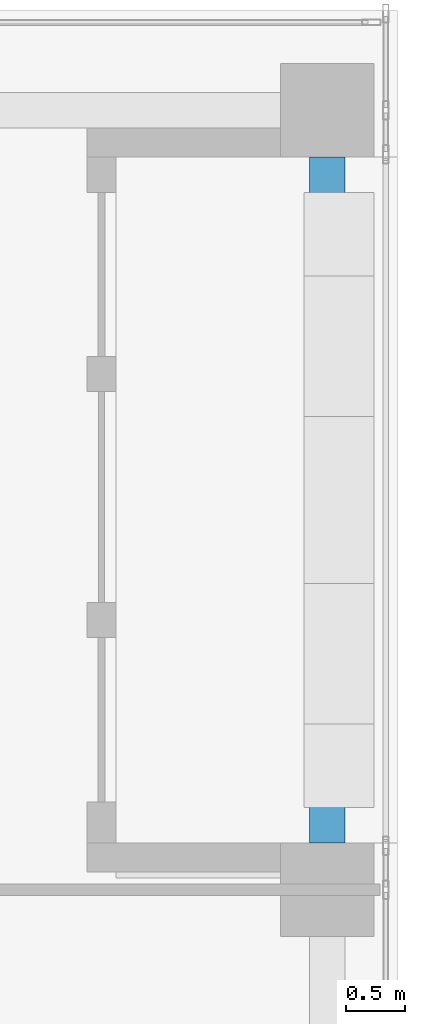
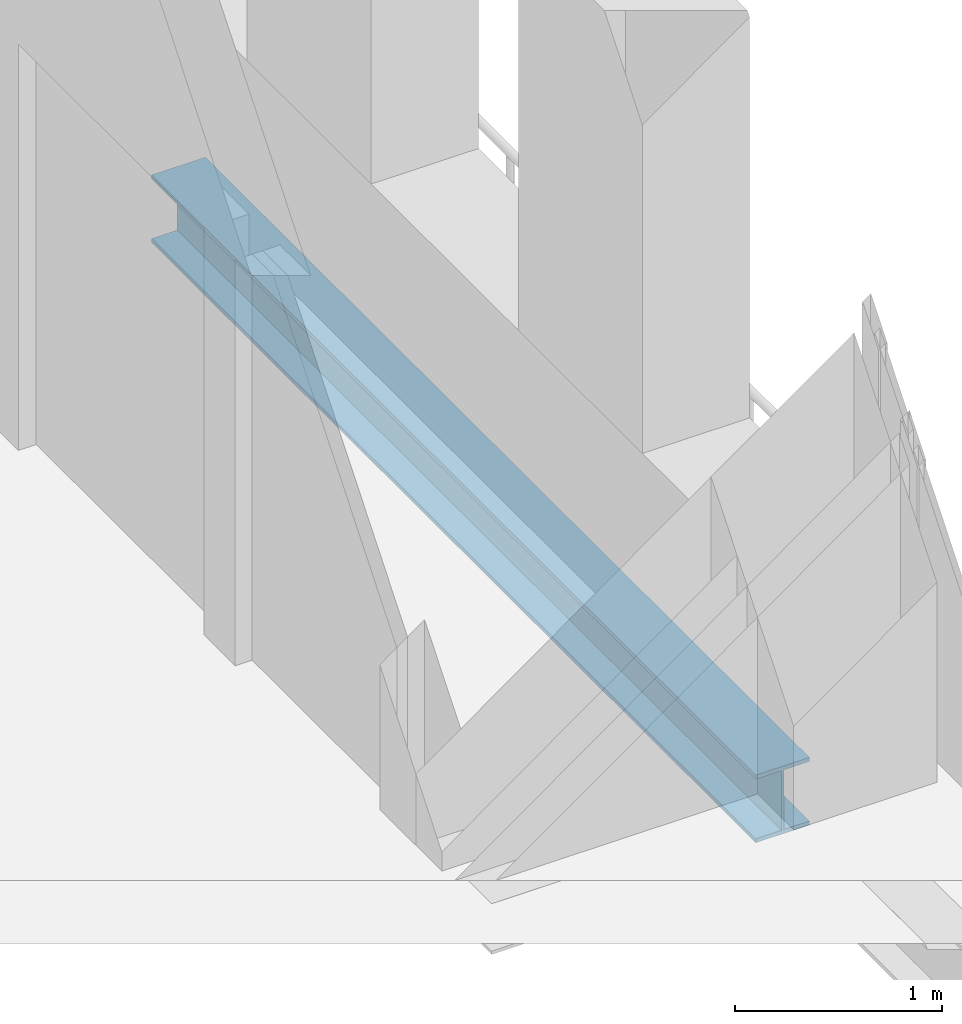
# One storey, part 13 of 29: 1 beam.
"""IFC4 building model written with IfcOpenShell, lengths in metres."""

from ifc_helpers import new_model, si_unit, direction, frame, origin, origin_2d, place, context, subcontext, project, spatial, i_section, extrude, source, transform, mapped, material, material_profile, profile_set, type_object, element, save


model = new_model("IFC4")

# Units and contexts
model_context = context("Model", 3, precision=1e-05, world=origin(), true_north=direction((0.0, 1.0)))
body_context = subcontext(model_context, "Body", "Model", "MODEL_VIEW")
ifc_project = project(units=[si_unit("LENGTHUNIT", "METRE"), si_unit("AREAUNIT", "SQUARE_METRE"), si_unit("VOLUMEUNIT", "CUBIC_METRE"), si_unit("PLANEANGLEUNIT", "RADIAN"), si_unit("MASSUNIT", "GRAM", prefix="KILO")], contexts=[model_context])

# Site, building, storey
site_placement = place(None, origin())
site = spatial("IfcSite", under=ifc_project, at=site_placement, CompositionType="ELEMENT")
building_placement = place(site_placement, origin())
building = spatial("IfcBuilding", under=site, at=building_placement, Name="Khomas Fold Tower", CompositionType="ELEMENT")
storey_placement = place(building_placement, frame((0.0, 0.0, 314.199951171875)))
storey = spatial("IfcBuildingStorey", under=building, at=storey_placement, Name="L71", CompositionType="ELEMENT", Elevation=314.199951171875)

# Beam
ifc_material = material(Name="Steel S355", Category="steel")
ifc_material_profile = material_profile(ifc_material, i_section(OverallWidth=0.300048828125, OverallDepth=0.39990234375, WebThickness=0.013427734375, FlangeThickness=0.02392578125, at=origin_2d()), Name="HE 400 B")
ifc_profile_set = profile_set([ifc_material_profile], Name="Steel S355")
beam_type = type_object("IfcBeamType", Name="HE 400 B spandrel SB5", PredefinedType="SPANDREL", material=ifc_profile_set)
shared_shape = source(origin(), body_context, "Body", "SweptSolid", [
    extrude(i_section(OverallWidth=0.300048828125, OverallDepth=0.39990234375, WebThickness=0.013427734375, FlangeThickness=0.02392578125, at=origin_2d()), origin(), (0.0, 0.0, 1.0), 5.85009765625),
])
beam_placement = place(storey_placement, frame((47.39990234375, 34.89990234375, -0.449951171875), z_axis=(0.0, 1.0, 0.0), x_axis=(-1.0, 0.0, 0.0)))
element("IfcBeam", 1, at=beam_placement, inside=storey, type_object=beam_type, Name="SB5", PredefinedType="SPANDREL", context=body_context, shape_type="MappedRepresentation", body=[
    mapped(shared_shape, transform((0.0, 0.0, 0.0))),
])

save(model, "model.ifc")
